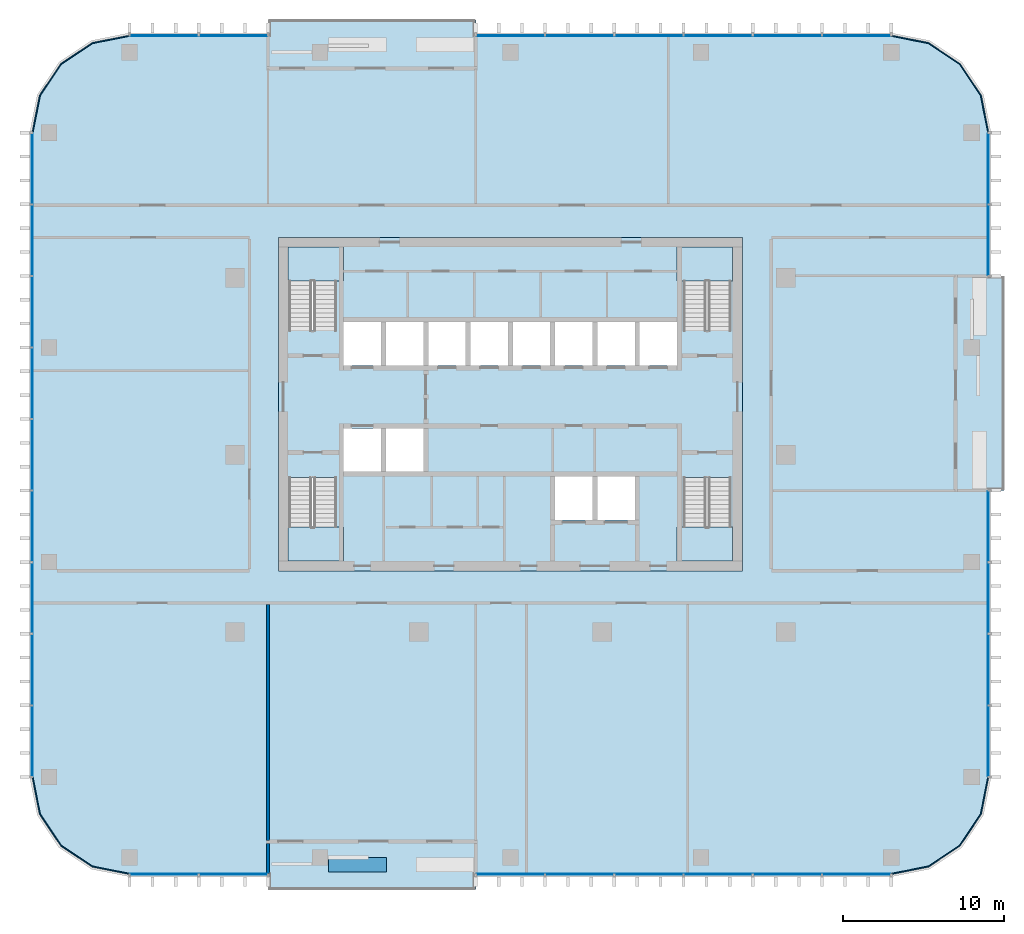
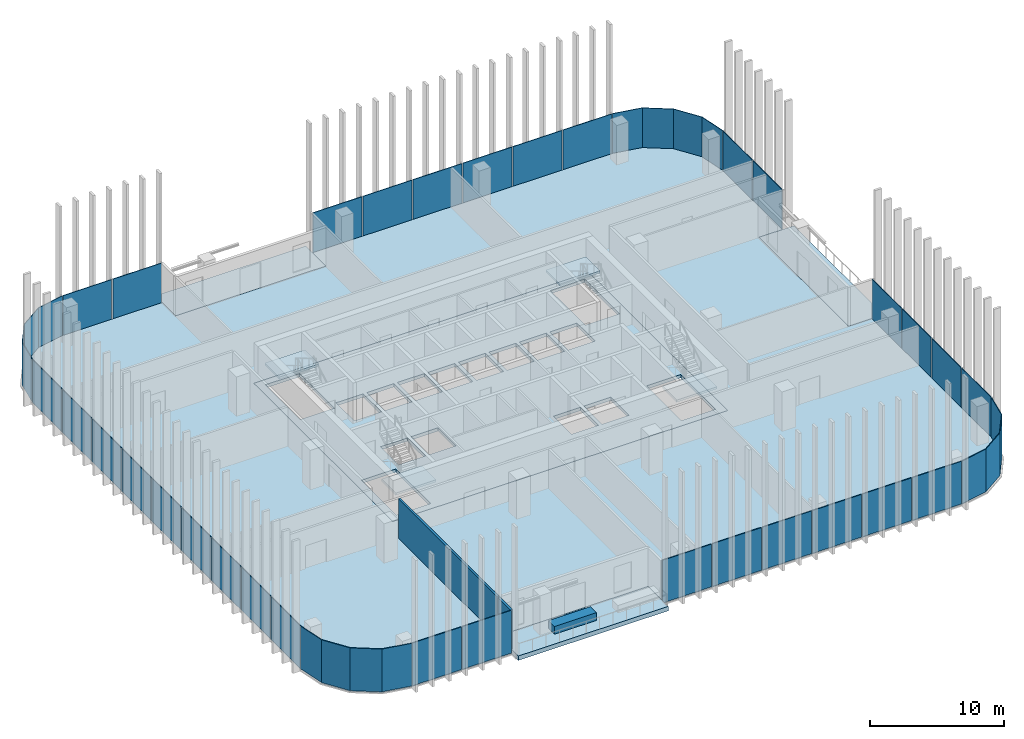
# One storey, part 6 of 16: 35 plates, 9 slabs, 3 walls, 15 elements without a shape of their own.
"""IFC4 building model written with IfcOpenShell, lengths in metres."""

import ifcopenshell
import ifcopenshell.guid

model = None  # the IFC model being written
_history = None  # IfcOwnerHistory: only IFC2X3 demands one
_inside = {}  # id of a spatial element -> (the spatial element, [elements in it])
_under = {}  # id of a project, library or spatial element -> (it, [spatial elements below it])
_declared = {}  # id of a project -> (the project, [libraries it declares])
_typed = {}  # id of a type object -> (the type object, [elements of that type])
_made_of = {}  # id of a material, layer set ... -> (it, [elements and type objects made of it])


def new_model(schema):
    """Start an empty IFC model of exactly this schema.

    Asked for "IFC4X3", IfcOpenShell would pick the latest addendum, in which some entities
    have other attributes; the version numbers below select the first issue.
    IFC2X3 requires an IfcOwnerHistory on every rooted entity: one is made here for all.
    """
    global model, _history
    if schema == "IFC4X3":
        model = ifcopenshell.file(schema_version=(4, 3, 0, 0))
    else:
        model = ifcopenshell.file(schema=schema)
    _inside.clear()
    _under.clear()
    _declared.clear()
    _typed.clear()
    _made_of.clear()
    _history = None
    if model.schema == "IFC2X3":
        org = make("IfcOrganization", Name="unknown")
        user = make(
            "IfcPersonAndOrganization",
            ThePerson=make("IfcPerson", FamilyName="unknown"),
            TheOrganization=org,
        )
        app = make(
            "IfcApplication",
            ApplicationDeveloper=org,
            Version="unknown",
            ApplicationFullName="unknown",
            ApplicationIdentifier="unknown",
        )
        _history = make(
            "IfcOwnerHistory",
            OwningUser=user,
            OwningApplication=app,
            ChangeAction="ADDED",
            CreationDate=0,
        )
    return model


def make(cls, **values):
    """One entity of the class cls with the attributes given. An attribute that is None is left unset."""
    return model.create_entity(
        cls, **{name: value for name, value in values.items() if value is not None}
    )


def rooted(cls, **values):
    """An entity with a GlobalId (a new one), such as an element, a storey or a relation."""
    return make(cls, GlobalId=ifcopenshell.guid.new(), OwnerHistory=_history, **values)


def si_unit(unit_type, name, prefix=None):
    """IfcSIUnit, for example si_unit("LENGTHUNIT", "METRE", prefix="MILLI")."""
    return make("IfcSIUnit", UnitType=unit_type, Prefix=prefix, Name=name)


def assignment(units):
    """IfcUnitAssignment: the units of a project."""
    return None if units is None else make("IfcUnitAssignment", Units=units)


def point(xyz):
    """IfcCartesianPoint."""
    return None if xyz is None else make("IfcCartesianPoint", Coordinates=xyz)


def direction(xyz):
    """IfcDirection."""
    return None if xyz is None else make("IfcDirection", DirectionRatios=xyz)


def frame(location, z_axis=None, x_axis=None):
    """IfcAxis2Placement3D, a coordinate frame: its origin and axes. An axis left out is left unset."""
    return make(
        "IfcAxis2Placement3D",
        Location=point(location),
        Axis=direction(z_axis),
        RefDirection=direction(x_axis),
    )


def frame_2d(location, x_axis=None):
    """IfcAxis2Placement2D, a coordinate frame in the plane: its origin and x axis."""
    return make(
        "IfcAxis2Placement2D", Location=point(location), RefDirection=direction(x_axis)
    )


def origin():
    """The frame at (0, 0, 0) with its axes left unset."""
    return frame((0.0, 0.0, 0.0))


def origin_2d():
    """The frame at (0, 0) in the plane with its x axis left unset."""
    return frame_2d((0.0, 0.0))


def place(relative_to, where):
    """IfcLocalPlacement: puts the frame where relative to a parent placement (None: the world)."""
    return make(
        "IfcLocalPlacement", PlacementRelTo=relative_to, RelativePlacement=where
    )


def context(
    kind, dimensions, precision=None, world=None, true_north=None, identifier=None
):
    """IfcGeometricRepresentationContext, for example the 3D "Model" context."""
    return make(
        "IfcGeometricRepresentationContext",
        ContextIdentifier=identifier,
        ContextType=kind,
        CoordinateSpaceDimension=dimensions,
        Precision=precision,
        WorldCoordinateSystem=world,
        TrueNorth=true_north,
    )


def subcontext(parent, identifier, kind, view, scale=None):
    """IfcGeometricRepresentationSubContext, for example "Body" below "Model"."""
    return make(
        "IfcGeometricRepresentationSubContext",
        ContextIdentifier=identifier,
        ContextType=kind,
        ParentContext=parent,
        TargetScale=scale,
        TargetView=view,
    )


def project(units=None, contexts=None):
    """IfcProject with its units and contexts."""
    return rooted(
        "IfcProject",
        Name="project",
        RepresentationContexts=contexts,
        UnitsInContext=assignment(units),
    )


def spatial(cls, under=None, at=None, **own):
    """A site, building, storey or space (cls), placed at a placement, below another one or the project."""
    s = rooted(cls, ObjectPlacement=at, **own)
    if under is not None:
        _under.setdefault(under.id(), (under, []))[1].append(s)
    return s


def polyline(points):
    """IfcPolyline through the points."""
    return make("IfcPolyline", Points=[point(p) for p in points])


def profile(cls, at=None, kind="AREA", **sizes):
    """A parametric profile (cls). Its sizes go by their IFC names, for example OverallWidth=200.0."""
    return make(cls, ProfileType=kind, Position=at, **sizes)


def rectangle(**sizes):
    """IfcRectangleProfileDef."""
    return profile("IfcRectangleProfileDef", **sizes)


def outline(outer, holes=None, kind="AREA"):
    """IfcArbitraryClosedProfileDef: a profile drawn as a closed curve; with holes, ...WithVoids."""
    if holes is None:
        return make("IfcArbitraryClosedProfileDef", ProfileType=kind, OuterCurve=outer)
    return make(
        "IfcArbitraryProfileDefWithVoids",
        ProfileType=kind,
        OuterCurve=outer,
        InnerCurves=holes,
    )


def extrude(swept, where, along, depth):
    """IfcExtrudedAreaSolid: the profile swept, set in the frame where, extruded along a direction by depth."""
    return make(
        "IfcExtrudedAreaSolid",
        SweptArea=swept,
        Position=where,
        ExtrudedDirection=direction(along),
        Depth=depth,
    )


def shape(context_of_items, identifier, shape_type, items):
    """IfcShapeRepresentation: the items that make up one representation, for example the "Body"."""
    return make(
        "IfcShapeRepresentation",
        ContextOfItems=context_of_items,
        RepresentationIdentifier=identifier,
        RepresentationType=shape_type,
        Items=items,
    )


def material(Name=None, Category=None):
    """IfcMaterial."""
    return make("IfcMaterial", Name=Name, Category=Category)


def layer(
    of_material, thickness, ventilated=None, Name=None, Category=None, Priority=None
):
    """IfcMaterialLayer: one layer of a wall or slab, of a material (None: an air gap)."""
    return make(
        "IfcMaterialLayer",
        Material=of_material,
        LayerThickness=thickness,
        IsVentilated=ventilated,
        Name=Name,
        Category=Category,
        Priority=Priority,
    )


def layer_set(layers, Name=None):
    """IfcMaterialLayerSet."""
    return make("IfcMaterialLayerSet", MaterialLayers=layers, LayerSetName=Name)


def made_of(thing, what):
    """Note that an element or type object is made of a material, layer set ...; save() writes the relation."""
    if what is not None:
        _made_of.setdefault(what.id(), (what, []))[1].append(thing)
    return thing


def type_object(cls, material=None, **own):
    """A type object (cls), such as IfcWallType, which elements share."""
    return made_of(rooted(cls, **own), material)


def element(
    cls,
    number,
    at=None,
    inside=None,
    cuts=None,
    type_object=None,
    material=None,
    context=None,
    identifier="Body",
    shape_type=None,
    held_by="IfcProductDefinitionShape",
    body=None,
    shapes=None,
    **own,
):
    """One element of the class cls, such as IfcWall. Its Tag is "e" and its number.

    at: its placement. inside: the storey or other place that contains it. cuts: it is an
    opening in that element (IfcRelVoidsElement). A single representation is given by context,
    identifier, shape_type and body (its items); several are given by shapes. held_by: the class
    of the entity that holds the representations. save() writes the other relations.
    """
    e = rooted(cls, Tag="e%d" % number, ObjectPlacement=at, **own)
    if body is not None:
        shapes = [shape(context, identifier, shape_type, body)]
    if shapes is not None:
        e.Representation = make(held_by, Representations=shapes)
    if inside is not None:
        _inside.setdefault(inside.id(), (inside, []))[1].append(e)
    if cuts is not None:
        rooted(
            "IfcRelVoidsElement", RelatingBuildingElement=cuts, RelatedOpeningElement=e
        )
    if type_object is not None:
        _typed.setdefault(type_object.id(), (type_object, []))[1].append(e)
    return made_of(e, material)


def aggregate(whole, parts):
    """IfcRelAggregates: a whole, such as a stair, and the parts it consists of."""
    return rooted("IfcRelAggregates", RelatingObject=whole, RelatedObjects=parts)


def save(model, path):
    """Write the relations noted so far, then the file.

    IfcRelAggregates (storeys below a building ...), IfcRelContainedInSpatialStructure (elements
    in a storey), IfcRelDefinesByType, IfcRelAssociatesMaterial and IfcRelDeclares: one each for
    every whole, place, type object, material and project.
    """
    for whole, parts in _under.values():
        aggregate(whole, parts)
    for where, things in _inside.values():
        rooted(
            "IfcRelContainedInSpatialStructure",
            RelatedElements=things,
            RelatingStructure=where,
        )
    for kind, things in _typed.values():
        rooted("IfcRelDefinesByType", RelatedObjects=things, RelatingType=kind)
    for what, things in _made_of.values():
        rooted("IfcRelAssociatesMaterial", RelatedObjects=things, RelatingMaterial=what)
    for by, libraries in _declared.values():
        rooted("IfcRelDeclares", RelatingContext=by, RelatedDefinitions=libraries)
    model.write(path)


model = new_model("IFC4")

# Units and contexts
model_context = context("Model", 3, precision=1e-05, world=origin(), true_north=direction((0.0, 1.0)))
body_context = subcontext(model_context, "Body", "Model", "MODEL_VIEW")
ifc_project = project(units=[si_unit("LENGTHUNIT", "METRE"), si_unit("AREAUNIT", "SQUARE_METRE"), si_unit("VOLUMEUNIT", "CUBIC_METRE"), si_unit("PLANEANGLEUNIT", "RADIAN"), si_unit("MASSUNIT", "GRAM", prefix="KILO")], contexts=[model_context])

# Site, building, storey
site_placement = place(None, origin())
site = spatial("IfcSite", under=ifc_project, at=site_placement, CompositionType="ELEMENT")
building_placement = place(site_placement, origin())
building = spatial("IfcBuilding", under=site, at=building_placement, Name="Mopane Tessera Tower", CompositionType="ELEMENT")
storey_placement = place(building_placement, frame((0.0, 0.0, 291.39990234375)))
storey = spatial("IfcBuildingStorey", under=building, at=storey_placement, Name="L63", CompositionType="ELEMENT", Elevation=291.39990234375)

# Slab
ifc_material_1 = material(Name="Concrete C40/50", Category="concrete")
ifc_layer_1 = layer(ifc_material_1, 0.300048828125)
ifc_layer_set_1 = layer_set([ifc_layer_1], Name="Concrete C40/50")
slab_type_1 = type_object("IfcSlabType", Name="Core floor slab 300 mm", PredefinedType="FLOOR", material=ifc_layer_set_1)
slab_1_placement = place(storey_placement, frame((0.0, 0.0, -0.2998046875)))
element("IfcSlab", 1, at=slab_1_placement, inside=storey, type_object=slab_type_1, Name="L63 core floor slab", PredefinedType="FLOOR", context=body_context, shape_type="SweptSolid", body=[
    extrude(outline(polyline([(-14.39990234375, -7.199951171875), (14.39990234375, -7.199951171875), (14.39990234375, 13.5), (-14.39990234375, 13.5), (-14.39990234375, -7.199951171875)]), holes=[polyline([(-10.35009765625, -1.050048828125), (-8.02490234375, -1.050048828125), (-8.02490234375, 1.64990234375), (-10.35009765625, 1.64990234375), (-10.35009765625, -1.050048828125)]), polyline([(-7.72509765625, -1.050048828125), (-5.39990234375, -1.050048828125), (-5.39990234375, 1.64990234375), (-7.72509765625, 1.64990234375), (-7.72509765625, -1.050048828125)]), polyline([(-10.35009765625, 5.550048828125), (-8.02490234375, 5.550048828125), (-8.02490234375, 8.25), (-10.35009765625, 8.25), (-10.35009765625, 5.550048828125)]), polyline([(-7.72509765625, 5.550048828125), (-5.39990234375, 5.550048828125), (-5.39990234375, 8.25), (-7.72509765625, 8.25), (-7.72509765625, 5.550048828125)]), polyline([(-5.10009765625, 5.550048828125), (-2.77490234375, 5.550048828125), (-2.77490234375, 8.25), (-5.10009765625, 8.25), (-5.10009765625, 5.550048828125)]), polyline([(-2.47509765625, 5.550048828125), (-0.14990234375, 5.550048828125), (-0.14990234375, 8.25), (-2.47509765625, 8.25), (-2.47509765625, 5.550048828125)]), polyline([(0.14990234375, 5.550048828125), (2.47509765625, 5.550048828125), (2.47509765625, 8.25), (0.14990234375, 8.25), (0.14990234375, 5.550048828125)]), polyline([(2.77490234375, 5.550048828125), (5.10009765625, 5.550048828125), (5.10009765625, 8.25), (2.77490234375, 8.25), (2.77490234375, 5.550048828125)]), polyline([(5.39990234375, 5.550048828125), (7.72509765625, 5.550048828125), (7.72509765625, 8.25), (5.39990234375, 8.25), (5.39990234375, 5.550048828125)]), polyline([(8.02490234375, 5.550048828125), (10.35009765625, 5.550048828125), (10.35009765625, 8.25), (8.02490234375, 8.25), (8.02490234375, 5.550048828125)]), polyline([(2.77490234375, -4.050048828125), (5.10009765625, -4.050048828125), (5.10009765625, -1.35009765625), (2.77490234375, -1.35009765625), (2.77490234375, -4.050048828125)]), polyline([(5.39990234375, -4.050048828125), (7.72509765625, -4.050048828125), (7.72509765625, -1.35009765625), (5.39990234375, -1.35009765625), (5.39990234375, -4.050048828125)]), polyline([(-13.75, -1.405029296875), (-13.75, -6.60009765625), (-10.800048828125, -6.60009765625), (-10.800048828125, -1.405029296875), (-13.75, -1.405029296875)]), polyline([(-10.800048828125, 7.705078125), (-10.800048828125, 12.89990234375), (-13.75, 12.89990234375), (-13.75, 7.705078125), (-10.800048828125, 7.705078125)]), polyline([(10.75, -1.405029296875), (10.75, -6.60009765625), (13.699951171875, -6.60009765625), (13.699951171875, -1.405029296875), (10.75, -1.405029296875)]), polyline([(13.699951171875, 7.705078125), (13.699951171875, 12.89990234375), (10.75, 12.89990234375), (10.75, 7.705078125), (13.699951171875, 7.705078125)])]), origin(), (0.0, 0.0, 1.0), 0.2998046875),
])

# Stair, slab
ifc_material_2 = material(Name="Concrete C50/60", Category="concrete")
stair_type = type_object("IfcStairType", Name="Escape stair 1400 mm, riser 167 mm", PredefinedType="HALF_TURN_STAIR", material=ifc_material_2)
stair_1_placement = place(storey_placement, origin())
stair_1 = element("IfcStair", 2, at=stair_1_placement, inside=storey, type_object=stair_type, Name="L63 Escape stair south-west", PredefinedType="HALF_TURN_STAIR")
ifc_material_3 = material(Name="Concrete C50/60", Category="concrete")
ifc_layer_2 = layer(ifc_material_3, 0.199951171875)
ifc_layer_set_2 = layer_set([ifc_layer_2], Name="Concrete C50/60")
slab_type_2 = type_object("IfcSlabType", Name="Escape stair landing 200 mm", PredefinedType="LANDING", material=ifc_layer_set_2)
slab_2_placement = place(storey_placement, frame((0.0, 0.0, 1.800048828125)))
slab_2 = element("IfcSlab", 3, at=slab_2_placement, type_object=slab_type_2, Name="ST1 landing 1", PredefinedType="LANDING", context=body_context, shape_type="SweptSolid", body=[
    extrude(outline(polyline([(-13.800048828125, -4.47998046875), (-13.800048828125, -6.60009765625), (-10.35009765625, -6.60009765625), (-10.35009765625, -4.47998046875), (-13.800048828125, -4.47998046875)])), origin(), (0.0, 0.0, 1.0), 0.199951171875),
])
aggregate(stair_1, [slab_2])

stair_2_placement = place(storey_placement, origin())
stair_2 = element("IfcStair", 4, at=stair_2_placement, inside=storey, type_object=stair_type, Name="L63 Escape stair north-west", PredefinedType="HALF_TURN_STAIR")
slab_3_placement = place(storey_placement, frame((0.0, 0.0, 1.800048828125)))
slab_3 = element("IfcSlab", 5, at=slab_3_placement, type_object=slab_type_2, Name="ST2 landing 1", PredefinedType="LANDING", context=body_context, shape_type="SweptSolid", body=[
    extrude(outline(polyline([(-10.35009765625, 10.780029296875), (-10.35009765625, 12.89990234375), (-13.800048828125, 12.89990234375), (-13.800048828125, 10.780029296875), (-10.35009765625, 10.780029296875)])), origin(), (0.0, 0.0, 1.0), 0.199951171875),
])
aggregate(stair_2, [slab_3])

stair_3_placement = place(storey_placement, origin())
stair_3 = element("IfcStair", 6, at=stair_3_placement, inside=storey, type_object=stair_type, Name="L63 Escape stair south-east", PredefinedType="HALF_TURN_STAIR")
slab_4_placement = place(storey_placement, frame((0.0, 0.0, 1.800048828125)))
slab_4 = element("IfcSlab", 7, at=slab_4_placement, type_object=slab_type_2, Name="ST3 landing 1", PredefinedType="LANDING", context=body_context, shape_type="SweptSolid", body=[
    extrude(outline(polyline([(10.35009765625, -4.47998046875), (10.35009765625, -6.60009765625), (13.800048828125, -6.60009765625), (13.800048828125, -4.47998046875), (10.35009765625, -4.47998046875)])), origin(), (0.0, 0.0, 1.0), 0.199951171875),
])
aggregate(stair_3, [slab_4])

stair_4_placement = place(storey_placement, origin())
stair_4 = element("IfcStair", 8, at=stair_4_placement, inside=storey, type_object=stair_type, Name="L63 Escape stair north-east", PredefinedType="HALF_TURN_STAIR")
slab_5_placement = place(storey_placement, frame((0.0, 0.0, 1.800048828125)))
slab_5 = element("IfcSlab", 9, at=slab_5_placement, type_object=slab_type_2, Name="ST4 landing 1", PredefinedType="LANDING", context=body_context, shape_type="SweptSolid", body=[
    extrude(outline(polyline([(13.800048828125, 10.780029296875), (13.800048828125, 12.89990234375), (10.35009765625, 12.89990234375), (10.35009765625, 10.780029296875), (13.800048828125, 10.780029296875)])), origin(), (0.0, 0.0, 1.0), 0.199951171875),
])
aggregate(stair_4, [slab_5])

# Slabs
ifc_material_4 = material(Name="Concrete C40/50", Category="concrete")
ifc_layer_3 = layer(ifc_material_4, 0.39990234375)
ifc_layer_set_3 = layer_set([ifc_layer_3], Name="Concrete C40/50")
slab_type_3 = type_object("IfcSlabType", Name="Planted terrace slab 400 mm", PredefinedType="FLOOR", material=ifc_layer_set_3)
slab_6_placement = place(storey_placement, frame((0.0, 0.0, -0.39990234375)))
element("IfcSlab", 10, at=slab_6_placement, inside=storey, type_object=slab_type_3, Name="Terrace slab N1 L63", PredefinedType="FLOOR", context=body_context, shape_type="SweptSolid", body=[
    extrude(outline(polyline([(30.64990234375, 11.111083984375), (27.64990234375, 11.111083984375), (27.64990234375, -2.22216796875), (30.64990234375, -2.22216796875), (30.64990234375, 11.111083984375)])), origin(), (0.0, 0.0, 1.0), 0.39990234375),
])
slab_7_placement = place(storey_placement, frame((0.0, 0.0, -0.39990234375)))
element("IfcSlab", 11, at=slab_7_placement, inside=storey, type_object=slab_type_3, Name="Terrace slab N2 L63", PredefinedType="FLOOR", context=body_context, shape_type="SweptSolid", body=[
    extrude(outline(polyline([(-15.050048828125, 27.0), (-15.050048828125, 24.0), (-2.14990234375, 24.0), (-2.14990234375, 27.0), (-15.050048828125, 27.0)])), origin(), (0.0, 0.0, 1.0), 0.39990234375),
])
slab_8_placement = place(storey_placement, frame((0.0, 0.0, -0.39990234375)))
element("IfcSlab", 12, at=slab_8_placement, inside=storey, type_object=slab_type_3, Name="Terrace slab N3 L63", PredefinedType="FLOOR", context=body_context, shape_type="SweptSolid", body=[
    extrude(outline(polyline([(-2.14990234375, -27.0), (-2.14990234375, -24.0), (-15.050048828125, -24.0), (-15.050048828125, -27.0), (-2.14990234375, -27.0)])), origin(), (0.0, 0.0, 1.0), 0.39990234375),
])
ifc_material_5 = material(Name="Concrete C40/50", Category="concrete")
ifc_layer_4 = layer(ifc_material_5, 0.39990234375)
ifc_layer_set_4 = layer_set([ifc_layer_4], Name="Concrete C40/50")
slab_type_4 = type_object("IfcSlabType", Name="Post-tensioned flat plate 400 mm", PredefinedType="FLOOR", material=ifc_layer_set_4)
slab_9_placement = place(storey_placement, frame((0.0, 0.0, -0.39990234375)))
element("IfcSlab", 13, at=slab_9_placement, inside=storey, type_object=slab_type_4, Name="Floor slab L63", PredefinedType="FLOOR", context=body_context, shape_type="SweptSolid", body=[
    extrude(outline(polyline([(-23.64990234375, -26.0), (-15.050048828125, -26.0), (-15.050048828125, -24.0), (-2.14990234375, -24.0), (-2.14990234375, -26.0), (23.64990234375, -26.0), (25.946044921875, -25.543212890625), (27.892578125, -24.24267578125), (29.193359375, -22.296142578125), (29.64990234375, -20.0), (29.64990234375, -2.22216796875), (27.64990234375, -2.22216796875), (27.64990234375, 11.111083984375), (29.64990234375, 11.111083984375), (29.64990234375, 20.0), (29.193359375, 22.296142578125), (27.892578125, 24.24267578125), (25.946044921875, 25.543212890625), (23.64990234375, 26.0), (-2.14990234375, 26.0), (-2.14990234375, 24.0), (-15.050048828125, 24.0), (-15.050048828125, 26.0), (-23.64990234375, 26.0), (-25.946044921875, 25.543212890625), (-27.892578125, 24.24267578125), (-29.193359375, 22.296142578125), (-29.64990234375, 20.0), (-29.64990234375, -20.0), (-29.193359375, -22.296142578125), (-27.892578125, -24.24267578125), (-25.946044921875, -25.543212890625), (-23.64990234375, -26.0)]), holes=[polyline([(14.39990234375, -7.199951171875), (-14.39990234375, -7.199951171875), (-14.39990234375, 13.5), (14.39990234375, 13.5), (14.39990234375, -7.199951171875)])]), origin(), (0.0, 0.0, 1.0), 0.39990234375),
])

# Curtain wall, plates
ifc_material_6 = material(Name="Aluminium frame", Category="aluminium")
curtain_wall_type = type_object("IfcCurtainWallType", Name="Unitised curtain wall", PredefinedType="NOTDEFINED", material=ifc_material_6)
curtain_wall_1_placement = place(storey_placement, origin())
curtain_wall_1 = element("IfcCurtainWall", 14, at=curtain_wall_1_placement, inside=storey, type_object=curtain_wall_type, Name="e:cw:L63:S:0", PredefinedType="NOTDEFINED")
ifc_material_7 = material(Name="Clear laminated glass", Category="glass")
ifc_layer_5 = layer(ifc_material_7, 0.06005859375)
ifc_layer_set_5 = layer_set([ifc_layer_5], Name="Clear laminated glass")
plate_type = type_object("IfcPlateType", Name="Unitised glazed unit", PredefinedType="CURTAIN_PANEL", material=ifc_layer_set_5)
plate_1_placement = place(storey_placement, frame((-21.5, -26.030029296875, -0.27978515625), z_axis=(0.0, 0.0, 1.0), x_axis=(1.0, 0.0, 0.0)))
plate_1 = element("IfcPlate", 15, at=plate_1_placement, type_object=plate_type, Name="e:cw:L63:S:0:pn0", PredefinedType="CURTAIN_PANEL", context=body_context, shape_type="SweptSolid", body=[
    extrude(rectangle(XDim=4.199951171875, YDim=0.06005859375, at=origin_2d()), origin(), (0.0, 0.0, 1.0), 3.8798828125),
])
plate_2_placement = place(storey_placement, frame((-17.199951171875, -26.030029296875, -0.27978515625), z_axis=(0.0, 0.0, 1.0), x_axis=(1.0, 0.0, 0.0)))
plate_2 = element("IfcPlate", 16, at=plate_2_placement, type_object=plate_type, Name="e:cw:L63:S:0:pn1", PredefinedType="CURTAIN_PANEL", context=body_context, shape_type="SweptSolid", body=[
    extrude(rectangle(XDim=4.199951171875, YDim=0.06005859375, at=origin_2d()), origin(), (0.0, 0.0, 1.0), 3.8798828125),
])
aggregate(curtain_wall_1, [plate_1, plate_2])

curtain_wall_2_placement = place(storey_placement, origin())
curtain_wall_2 = element("IfcCurtainWall", 17, at=curtain_wall_2_placement, inside=storey, type_object=curtain_wall_type, Name="e:cw:L63:S:5", PredefinedType="NOTDEFINED")
plate_3_placement = place(storey_placement, frame((0.0, -26.030029296875, -0.27978515625), z_axis=(0.0, 0.0, 1.0), x_axis=(1.0, 0.0, 0.0)))
plate_3 = element("IfcPlate", 18, at=plate_3_placement, type_object=plate_type, Name="e:cw:L63:S:5:pn5", PredefinedType="CURTAIN_PANEL", context=body_context, shape_type="SweptSolid", body=[
    extrude(rectangle(XDim=4.199951171875, YDim=0.06005859375, at=origin_2d()), origin(), (0.0, 0.0, 1.0), 3.8798828125),
])
plate_4_placement = place(storey_placement, frame((4.300048828125, -26.030029296875, -0.27978515625), z_axis=(0.0, 0.0, 1.0), x_axis=(1.0, 0.0, 0.0)))
plate_4 = element("IfcPlate", 19, at=plate_4_placement, type_object=plate_type, Name="e:cw:L63:S:5:pn6", PredefinedType="CURTAIN_PANEL", context=body_context, shape_type="SweptSolid", body=[
    extrude(rectangle(XDim=4.199951171875, YDim=0.06005859375, at=origin_2d()), origin(), (0.0, 0.0, 1.0), 3.8798828125),
])
plate_5_placement = place(storey_placement, frame((8.60009765625, -26.030029296875, -0.27978515625), z_axis=(0.0, 0.0, 1.0), x_axis=(1.0, 0.0, 0.0)))
plate_5 = element("IfcPlate", 20, at=plate_5_placement, type_object=plate_type, Name="e:cw:L63:S:5:pn7", PredefinedType="CURTAIN_PANEL", context=body_context, shape_type="SweptSolid", body=[
    extrude(rectangle(XDim=4.199951171875, YDim=0.06005859375, at=origin_2d()), origin(), (0.0, 0.0, 1.0), 3.8798828125),
])
plate_6_placement = place(storey_placement, frame((12.89990234375, -26.030029296875, -0.27978515625), z_axis=(0.0, 0.0, 1.0), x_axis=(1.0, 0.0, 0.0)))
plate_6 = element("IfcPlate", 21, at=plate_6_placement, type_object=plate_type, Name="e:cw:L63:S:5:pn8", PredefinedType="CURTAIN_PANEL", context=body_context, shape_type="SweptSolid", body=[
    extrude(rectangle(XDim=4.199951171875, YDim=0.06005859375, at=origin_2d()), origin(), (0.0, 0.0, 1.0), 3.8798828125),
])
plate_7_placement = place(storey_placement, frame((17.199951171875, -26.030029296875, -0.27978515625), z_axis=(0.0, 0.0, 1.0), x_axis=(1.0, 0.0, 0.0)))
plate_7 = element("IfcPlate", 22, at=plate_7_placement, type_object=plate_type, Name="e:cw:L63:S:5:pn9", PredefinedType="CURTAIN_PANEL", context=body_context, shape_type="SweptSolid", body=[
    extrude(rectangle(XDim=4.199951171875, YDim=0.06005859375, at=origin_2d()), origin(), (0.0, 0.0, 1.0), 3.8798828125),
])
plate_8_placement = place(storey_placement, frame((21.5, -26.030029296875, -0.27978515625), z_axis=(0.0, 0.0, 1.0), x_axis=(1.0, 0.0, 0.0)))
plate_8 = element("IfcPlate", 23, at=plate_8_placement, type_object=plate_type, Name="e:cw:L63:S:5:pn10", PredefinedType="CURTAIN_PANEL", context=body_context, shape_type="SweptSolid", body=[
    extrude(rectangle(XDim=4.199951171875, YDim=0.06005859375, at=origin_2d()), origin(), (0.0, 0.0, 1.0), 3.8798828125),
])
aggregate(curtain_wall_2, [plate_3, plate_4, plate_5, plate_6, plate_7, plate_8])

# Curtain wall, plate
curtain_wall_3_placement = place(storey_placement, origin())
curtain_wall_3 = element("IfcCurtainWall", 24, at=curtain_wall_3_placement, inside=storey, type_object=curtain_wall_type, Name="e:cw:L63:CS", PredefinedType="NOTDEFINED")
plate_9_placement = place(storey_placement, frame((0.0, 0.0, -0.27978515625)))
plate_9 = element("IfcPlate", 25, at=plate_9_placement, type_object=plate_type, Name="e:cw:L63:CS:pn", PredefinedType="CURTAIN_PANEL", context=body_context, shape_type="SweptSolid", body=[
    extrude(outline(polyline([(23.64990234375, -26.0), (25.946044921875, -25.543212890625), (27.892578125, -24.24267578125), (29.193359375, -22.296142578125), (29.64990234375, -20.0), (29.7099609375, -20.0), (29.248779296875, -22.319091796875), (27.93505859375, -24.28515625), (25.968994140625, -25.5986328125), (23.64990234375, -26.06005859375), (23.64990234375, -26.0)])), origin(), (0.0, 0.0, 1.0), 3.8798828125),
])
aggregate(curtain_wall_3, [plate_9])

# Curtain wall, plates
curtain_wall_4_placement = place(storey_placement, origin())
curtain_wall_4 = element("IfcCurtainWall", 26, at=curtain_wall_4_placement, inside=storey, type_object=curtain_wall_type, Name="e:cw:L63:E:0", PredefinedType="NOTDEFINED")
plate_10_placement = place(storey_placement, frame((29.679931640625, -17.77783203125, -0.27978515625), z_axis=(0.0, 0.0, 1.0), x_axis=(0.0, 1.0, 0.0)))
plate_10 = element("IfcPlate", 27, at=plate_10_placement, type_object=plate_type, Name="e:cw:L63:E:0:pn0", PredefinedType="CURTAIN_PANEL", context=body_context, shape_type="SweptSolid", body=[
    extrude(rectangle(XDim=4.344482421875, YDim=0.06005859375, at=origin_2d()), origin(), (0.0, 0.0, 1.0), 3.8798828125),
])
plate_11_placement = place(storey_placement, frame((29.679931640625, -13.333251953125, -0.27978515625), z_axis=(0.0, 0.0, 1.0), x_axis=(0.0, 1.0, 0.0)))
plate_11 = element("IfcPlate", 28, at=plate_11_placement, type_object=plate_type, Name="e:cw:L63:E:0:pn1", PredefinedType="CURTAIN_PANEL", context=body_context, shape_type="SweptSolid", body=[
    extrude(rectangle(XDim=4.344482421875, YDim=0.06005859375, at=origin_2d()), origin(), (0.0, 0.0, 1.0), 3.8798828125),
])
plate_12_placement = place(storey_placement, frame((29.679931640625, -8.888916015625, -0.27978515625), z_axis=(0.0, 0.0, 1.0), x_axis=(0.0, 1.0, 0.0)))
plate_12 = element("IfcPlate", 29, at=plate_12_placement, type_object=plate_type, Name="e:cw:L63:E:0:pn2", PredefinedType="CURTAIN_PANEL", context=body_context, shape_type="SweptSolid", body=[
    extrude(rectangle(XDim=4.344482421875, YDim=0.06005859375, at=origin_2d()), origin(), (0.0, 0.0, 1.0), 3.8798828125),
])
plate_13_placement = place(storey_placement, frame((29.679931640625, -4.4443359375, -0.27978515625), z_axis=(0.0, 0.0, 1.0), x_axis=(0.0, 1.0, 0.0)))
plate_13 = element("IfcPlate", 30, at=plate_13_placement, type_object=plate_type, Name="e:cw:L63:E:0:pn3", PredefinedType="CURTAIN_PANEL", context=body_context, shape_type="SweptSolid", body=[
    extrude(rectangle(XDim=4.344482421875, YDim=0.06005859375, at=origin_2d()), origin(), (0.0, 0.0, 1.0), 3.8798828125),
])
aggregate(curtain_wall_4, [plate_10, plate_11, plate_12, plate_13])

curtain_wall_5_placement = place(storey_placement, origin())
curtain_wall_5 = element("IfcCurtainWall", 31, at=curtain_wall_5_placement, inside=storey, type_object=curtain_wall_type, Name="e:cw:L63:E:7", PredefinedType="NOTDEFINED")
plate_14_placement = place(storey_placement, frame((29.679931640625, 13.333251953125, -0.27978515625), z_axis=(0.0, 0.0, 1.0), x_axis=(0.0, 1.0, 0.0)))
plate_14 = element("IfcPlate", 32, at=plate_14_placement, type_object=plate_type, Name="e:cw:L63:E:7:pn7", PredefinedType="CURTAIN_PANEL", context=body_context, shape_type="SweptSolid", body=[
    extrude(rectangle(XDim=4.344482421875, YDim=0.06005859375, at=origin_2d()), origin(), (0.0, 0.0, 1.0), 3.8798828125),
])
plate_15_placement = place(storey_placement, frame((29.679931640625, 17.77783203125, -0.27978515625), z_axis=(0.0, 0.0, 1.0), x_axis=(0.0, 1.0, 0.0)))
plate_15 = element("IfcPlate", 33, at=plate_15_placement, type_object=plate_type, Name="e:cw:L63:E:7:pn8", PredefinedType="CURTAIN_PANEL", context=body_context, shape_type="SweptSolid", body=[
    extrude(rectangle(XDim=4.344482421875, YDim=0.06005859375, at=origin_2d()), origin(), (0.0, 0.0, 1.0), 3.8798828125),
])
aggregate(curtain_wall_5, [plate_14, plate_15])

# Curtain wall, plate
curtain_wall_6_placement = place(storey_placement, origin())
curtain_wall_6 = element("IfcCurtainWall", 34, at=curtain_wall_6_placement, inside=storey, type_object=curtain_wall_type, Name="e:cw:L63:CE", PredefinedType="NOTDEFINED")
plate_16_placement = place(storey_placement, frame((0.0, 0.0, -0.27978515625)))
plate_16 = element("IfcPlate", 35, at=plate_16_placement, type_object=plate_type, Name="e:cw:L63:CE:pn", PredefinedType="CURTAIN_PANEL", context=body_context, shape_type="SweptSolid", body=[
    extrude(outline(polyline([(29.64990234375, 20.0), (29.193359375, 22.296142578125), (27.892578125, 24.24267578125), (25.946044921875, 25.543212890625), (23.64990234375, 26.0), (23.64990234375, 26.06005859375), (25.968994140625, 25.5986328125), (27.93505859375, 24.28515625), (29.248779296875, 22.319091796875), (29.7099609375, 20.0), (29.64990234375, 20.0)])), origin(), (0.0, 0.0, 1.0), 3.8798828125),
])
aggregate(curtain_wall_6, [plate_16])

# Curtain wall, plates
curtain_wall_7_placement = place(storey_placement, origin())
curtain_wall_7 = element("IfcCurtainWall", 36, at=curtain_wall_7_placement, inside=storey, type_object=curtain_wall_type, Name="e:cw:L63:N:0", PredefinedType="NOTDEFINED")
plate_17_placement = place(storey_placement, frame((21.5, 26.030029296875, -0.27978515625), z_axis=(0.0, 0.0, 1.0), x_axis=(-1.0, 0.0, 0.0)))
plate_17 = element("IfcPlate", 37, at=plate_17_placement, type_object=plate_type, Name="e:cw:L63:N:0:pn0", PredefinedType="CURTAIN_PANEL", context=body_context, shape_type="SweptSolid", body=[
    extrude(rectangle(XDim=4.199951171875, YDim=0.06005859375, at=origin_2d()), origin(), (0.0, 0.0, 1.0), 3.8798828125),
])
plate_18_placement = place(storey_placement, frame((17.199951171875, 26.030029296875, -0.27978515625), z_axis=(0.0, 0.0, 1.0), x_axis=(-1.0, 0.0, 0.0)))
plate_18 = element("IfcPlate", 38, at=plate_18_placement, type_object=plate_type, Name="e:cw:L63:N:0:pn1", PredefinedType="CURTAIN_PANEL", context=body_context, shape_type="SweptSolid", body=[
    extrude(rectangle(XDim=4.199951171875, YDim=0.06005859375, at=origin_2d()), origin(), (0.0, 0.0, 1.0), 3.8798828125),
])
plate_19_placement = place(storey_placement, frame((12.89990234375, 26.030029296875, -0.27978515625), z_axis=(0.0, 0.0, 1.0), x_axis=(-1.0, 0.0, 0.0)))
plate_19 = element("IfcPlate", 39, at=plate_19_placement, type_object=plate_type, Name="e:cw:L63:N:0:pn2", PredefinedType="CURTAIN_PANEL", context=body_context, shape_type="SweptSolid", body=[
    extrude(rectangle(XDim=4.199951171875, YDim=0.06005859375, at=origin_2d()), origin(), (0.0, 0.0, 1.0), 3.8798828125),
])
plate_20_placement = place(storey_placement, frame((8.60009765625, 26.030029296875, -0.27978515625), z_axis=(0.0, 0.0, 1.0), x_axis=(-1.0, 0.0, 0.0)))
plate_20 = element("IfcPlate", 40, at=plate_20_placement, type_object=plate_type, Name="e:cw:L63:N:0:pn3", PredefinedType="CURTAIN_PANEL", context=body_context, shape_type="SweptSolid", body=[
    extrude(rectangle(XDim=4.199951171875, YDim=0.06005859375, at=origin_2d()), origin(), (0.0, 0.0, 1.0), 3.8798828125),
])
plate_21_placement = place(storey_placement, frame((4.300048828125, 26.030029296875, -0.27978515625), z_axis=(0.0, 0.0, 1.0), x_axis=(-1.0, 0.0, 0.0)))
plate_21 = element("IfcPlate", 41, at=plate_21_placement, type_object=plate_type, Name="e:cw:L63:N:0:pn4", PredefinedType="CURTAIN_PANEL", context=body_context, shape_type="SweptSolid", body=[
    extrude(rectangle(XDim=4.199951171875, YDim=0.06005859375, at=origin_2d()), origin(), (0.0, 0.0, 1.0), 3.8798828125),
])
plate_22_placement = place(storey_placement, frame((0.0, 26.030029296875, -0.27978515625), z_axis=(0.0, 0.0, 1.0), x_axis=(-1.0, 0.0, 0.0)))
plate_22 = element("IfcPlate", 42, at=plate_22_placement, type_object=plate_type, Name="e:cw:L63:N:0:pn5", PredefinedType="CURTAIN_PANEL", context=body_context, shape_type="SweptSolid", body=[
    extrude(rectangle(XDim=4.199951171875, YDim=0.06005859375, at=origin_2d()), origin(), (0.0, 0.0, 1.0), 3.8798828125),
])
aggregate(curtain_wall_7, [plate_17, plate_18, plate_19, plate_20, plate_21, plate_22])

curtain_wall_8_placement = place(storey_placement, origin())
curtain_wall_8 = element("IfcCurtainWall", 43, at=curtain_wall_8_placement, inside=storey, type_object=curtain_wall_type, Name="e:cw:L63:N:9", PredefinedType="NOTDEFINED")
plate_23_placement = place(storey_placement, frame((-17.199951171875, 26.030029296875, -0.27978515625), z_axis=(0.0, 0.0, 1.0), x_axis=(-1.0, 0.0, 0.0)))
plate_23 = element("IfcPlate", 44, at=plate_23_placement, type_object=plate_type, Name="e:cw:L63:N:9:pn9", PredefinedType="CURTAIN_PANEL", context=body_context, shape_type="SweptSolid", body=[
    extrude(rectangle(XDim=4.199951171875, YDim=0.06005859375, at=origin_2d()), origin(), (0.0, 0.0, 1.0), 3.8798828125),
])
plate_24_placement = place(storey_placement, frame((-21.5, 26.030029296875, -0.27978515625), z_axis=(0.0, 0.0, 1.0), x_axis=(-1.0, 0.0, 0.0)))
plate_24 = element("IfcPlate", 45, at=plate_24_placement, type_object=plate_type, Name="e:cw:L63:N:9:pn10", PredefinedType="CURTAIN_PANEL", context=body_context, shape_type="SweptSolid", body=[
    extrude(rectangle(XDim=4.199951171875, YDim=0.06005859375, at=origin_2d()), origin(), (0.0, 0.0, 1.0), 3.8798828125),
])
aggregate(curtain_wall_8, [plate_23, plate_24])

# Curtain wall, plate
curtain_wall_9_placement = place(storey_placement, origin())
curtain_wall_9 = element("IfcCurtainWall", 46, at=curtain_wall_9_placement, inside=storey, type_object=curtain_wall_type, Name="e:cw:L63:CN", PredefinedType="NOTDEFINED")
plate_25_placement = place(storey_placement, frame((0.0, 0.0, -0.27978515625)))
plate_25 = element("IfcPlate", 47, at=plate_25_placement, type_object=plate_type, Name="e:cw:L63:CN:pn", PredefinedType="CURTAIN_PANEL", context=body_context, shape_type="SweptSolid", body=[
    extrude(outline(polyline([(-23.64990234375, 26.0), (-25.946044921875, 25.543212890625), (-27.892578125, 24.24267578125), (-29.193359375, 22.296142578125), (-29.64990234375, 20.0), (-29.7099609375, 20.0), (-29.248779296875, 22.319091796875), (-27.93505859375, 24.28515625), (-25.968994140625, 25.5986328125), (-23.64990234375, 26.06005859375), (-23.64990234375, 26.0)])), origin(), (0.0, 0.0, 1.0), 3.8798828125),
])
aggregate(curtain_wall_9, [plate_25])

# Curtain wall, plates
curtain_wall_10_placement = place(storey_placement, origin())
curtain_wall_10 = element("IfcCurtainWall", 48, at=curtain_wall_10_placement, inside=storey, type_object=curtain_wall_type, Name="e:cw:L63:W:0", PredefinedType="NOTDEFINED")
plate_26_placement = place(storey_placement, frame((-29.679931640625, 17.77783203125, -0.27978515625), z_axis=(0.0, 0.0, 1.0), x_axis=(0.0, -1.0, 0.0)))
plate_26 = element("IfcPlate", 49, at=plate_26_placement, type_object=plate_type, Name="e:cw:L63:W:0:pn0", PredefinedType="CURTAIN_PANEL", context=body_context, shape_type="SweptSolid", body=[
    extrude(rectangle(XDim=4.344482421875, YDim=0.06005859375, at=origin_2d()), origin(), (0.0, 0.0, 1.0), 3.8798828125),
])
plate_27_placement = place(storey_placement, frame((-29.679931640625, 13.333251953125, -0.27978515625), z_axis=(0.0, 0.0, 1.0), x_axis=(0.0, -1.0, 0.0)))
plate_27 = element("IfcPlate", 50, at=plate_27_placement, type_object=plate_type, Name="e:cw:L63:W:0:pn1", PredefinedType="CURTAIN_PANEL", context=body_context, shape_type="SweptSolid", body=[
    extrude(rectangle(XDim=4.344482421875, YDim=0.06005859375, at=origin_2d()), origin(), (0.0, 0.0, 1.0), 3.8798828125),
])
plate_28_placement = place(storey_placement, frame((-29.679931640625, 8.888916015625, -0.27978515625), z_axis=(0.0, 0.0, 1.0), x_axis=(0.0, -1.0, 0.0)))
plate_28 = element("IfcPlate", 51, at=plate_28_placement, type_object=plate_type, Name="e:cw:L63:W:0:pn2", PredefinedType="CURTAIN_PANEL", context=body_context, shape_type="SweptSolid", body=[
    extrude(rectangle(XDim=4.344482421875, YDim=0.06005859375, at=origin_2d()), origin(), (0.0, 0.0, 1.0), 3.8798828125),
])
plate_29_placement = place(storey_placement, frame((-29.679931640625, 4.4443359375, -0.27978515625), z_axis=(0.0, 0.0, 1.0), x_axis=(0.0, -1.0, 0.0)))
plate_29 = element("IfcPlate", 52, at=plate_29_placement, type_object=plate_type, Name="e:cw:L63:W:0:pn3", PredefinedType="CURTAIN_PANEL", context=body_context, shape_type="SweptSolid", body=[
    extrude(rectangle(XDim=4.344482421875, YDim=0.06005859375, at=origin_2d()), origin(), (0.0, 0.0, 1.0), 3.8798828125),
])
plate_30_placement = place(storey_placement, frame((-29.679931640625, 0.0, -0.27978515625), z_axis=(0.0, 0.0, 1.0), x_axis=(0.0, -1.0, 0.0)))
plate_30 = element("IfcPlate", 53, at=plate_30_placement, type_object=plate_type, Name="e:cw:L63:W:0:pn4", PredefinedType="CURTAIN_PANEL", context=body_context, shape_type="SweptSolid", body=[
    extrude(rectangle(XDim=4.344482421875, YDim=0.06005859375, at=origin_2d()), origin(), (0.0, 0.0, 1.0), 3.8798828125),
])
plate_31_placement = place(storey_placement, frame((-29.679931640625, -4.4443359375, -0.27978515625), z_axis=(0.0, 0.0, 1.0), x_axis=(0.0, -1.0, 0.0)))
plate_31 = element("IfcPlate", 54, at=plate_31_placement, type_object=plate_type, Name="e:cw:L63:W:0:pn5", PredefinedType="CURTAIN_PANEL", context=body_context, shape_type="SweptSolid", body=[
    extrude(rectangle(XDim=4.344482421875, YDim=0.06005859375, at=origin_2d()), origin(), (0.0, 0.0, 1.0), 3.8798828125),
])
plate_32_placement = place(storey_placement, frame((-29.679931640625, -8.888916015625, -0.27978515625), z_axis=(0.0, 0.0, 1.0), x_axis=(0.0, -1.0, 0.0)))
plate_32 = element("IfcPlate", 55, at=plate_32_placement, type_object=plate_type, Name="e:cw:L63:W:0:pn6", PredefinedType="CURTAIN_PANEL", context=body_context, shape_type="SweptSolid", body=[
    extrude(rectangle(XDim=4.344482421875, YDim=0.06005859375, at=origin_2d()), origin(), (0.0, 0.0, 1.0), 3.8798828125),
])
plate_33_placement = place(storey_placement, frame((-29.679931640625, -13.333251953125, -0.27978515625), z_axis=(0.0, 0.0, 1.0), x_axis=(0.0, -1.0, 0.0)))
plate_33 = element("IfcPlate", 56, at=plate_33_placement, type_object=plate_type, Name="e:cw:L63:W:0:pn7", PredefinedType="CURTAIN_PANEL", context=body_context, shape_type="SweptSolid", body=[
    extrude(rectangle(XDim=4.344482421875, YDim=0.06005859375, at=origin_2d()), origin(), (0.0, 0.0, 1.0), 3.8798828125),
])
plate_34_placement = place(storey_placement, frame((-29.679931640625, -17.77783203125, -0.27978515625), z_axis=(0.0, 0.0, 1.0), x_axis=(0.0, -1.0, 0.0)))
plate_34 = element("IfcPlate", 57, at=plate_34_placement, type_object=plate_type, Name="e:cw:L63:W:0:pn8", PredefinedType="CURTAIN_PANEL", context=body_context, shape_type="SweptSolid", body=[
    extrude(rectangle(XDim=4.344482421875, YDim=0.06005859375, at=origin_2d()), origin(), (0.0, 0.0, 1.0), 3.8798828125),
])
aggregate(curtain_wall_10, [plate_26, plate_27, plate_28, plate_29, plate_30, plate_31, plate_32, plate_33, plate_34])

# Curtain wall, plate
curtain_wall_11_placement = place(storey_placement, origin())
curtain_wall_11 = element("IfcCurtainWall", 58, at=curtain_wall_11_placement, inside=storey, type_object=curtain_wall_type, Name="e:cw:L63:CW", PredefinedType="NOTDEFINED")
plate_35_placement = place(storey_placement, frame((0.0, 0.0, -0.27978515625)))
plate_35 = element("IfcPlate", 59, at=plate_35_placement, type_object=plate_type, Name="e:cw:L63:CW:pn", PredefinedType="CURTAIN_PANEL", context=body_context, shape_type="SweptSolid", body=[
    extrude(outline(polyline([(-29.64990234375, -20.0), (-29.193359375, -22.296142578125), (-27.892578125, -24.24267578125), (-25.946044921875, -25.543212890625), (-23.64990234375, -26.0), (-23.64990234375, -26.06005859375), (-25.968994140625, -25.5986328125), (-27.93505859375, -24.28515625), (-29.248779296875, -22.319091796875), (-29.7099609375, -20.0), (-29.64990234375, -20.0)])), origin(), (0.0, 0.0, 1.0), 3.8798828125),
])
aggregate(curtain_wall_11, [plate_35])

# Walls
ifc_material_8 = material(Name="Gypsum board on staggered steel studs, double layer each face, acoustic mineral wool infill", Category="steel")
ifc_layer_6 = layer(ifc_material_8, 0.175048828125)
ifc_layer_set_6 = layer_set([ifc_layer_6], Name="Gypsum board on staggered steel studs, double layer each face, acoustic mineral wool infill")
wall_type_1 = type_object("IfcWallType", Name="Gypsum board acoustic partition 175, rated EI 60", PredefinedType="PARTITIONING", material=ifc_layer_set_6)
wall_1_placement = place(storey_placement, frame((-15.050048828125, -23.949951171875, 0.0), z_axis=(0.0, 0.0, 1.0), x_axis=(0.0, 1.0, 0.0)))
element("IfcWall", 60, at=wall_1_placement, inside=storey, type_object=wall_type_1, Name="Partition L63:011", PredefinedType="PARTITIONING", context=body_context, shape_type="SweptSolid", body=[
    extrude(rectangle(XDim=14.64990234375, YDim=0.175048828125, at=frame_2d((7.324951171875, 0.0))), origin(), (0.0, 0.0, 1.0), 3.60009765625),
])
ifc_material_9 = material(Name="Reinforced concrete C32/40 with waterproofing", Category="concrete")
ifc_layer_7 = layer(ifc_material_9, 0.89990234375)
ifc_layer_set_7 = layer_set([ifc_layer_7], Name="Reinforced concrete C32/40 with waterproofing")
wall_type_2 = type_object("IfcWallType", Name="Planter trough 3600 x 900", PredefinedType="STANDARD", material=ifc_layer_set_7)
wall_2_placement = place(storey_placement, frame((-11.304931640625, -25.449951171875, 0.0), z_axis=(0.0, 0.0, 1.0), x_axis=(1.0, 0.0, 0.0)))
element("IfcWall", 61, at=wall_2_placement, inside=storey, type_object=wall_type_2, Name="e:nw:L63:N3:pl0", PredefinedType="STANDARD", context=body_context, shape_type="SweptSolid", body=[
    extrude(rectangle(XDim=3.60009765625, YDim=0.89990234375, at=frame_2d((1.800048828125, 0.0))), origin(), (0.0, 0.0, 1.0), 0.7001953125),
])
ifc_material_10 = material(Name="Blockwork with glazed tile facing", Category="masonry")
ifc_layer_8 = layer(ifc_material_10, 0.199951171875)
ifc_layer_set_8 = layer_set([ifc_layer_8], Name="Blockwork with glazed tile facing")
wall_type_3 = type_object("IfcWallType", Name="Terrace cheek wall 200", PredefinedType="STANDARD", material=ifc_layer_set_8)
wall_3_placement = place(storey_placement, frame((-15.050048828125, -26.0, 0.0), z_axis=(0.0, 0.0, 1.0), x_axis=(0.0, 1.0, 0.0)))
element("IfcWall", 62, at=wall_3_placement, inside=storey, type_object=wall_type_3, Name="e:nw:L63:N3:cheeka", PredefinedType="STANDARD", context=body_context, shape_type="SweptSolid", body=[
    extrude(rectangle(XDim=1.875, YDim=0.199951171875, at=frame_2d((0.9375, 0.0))), origin(), (0.0, 0.0, 1.0), 3.60009765625),
])

save(model, "model.ifc")
